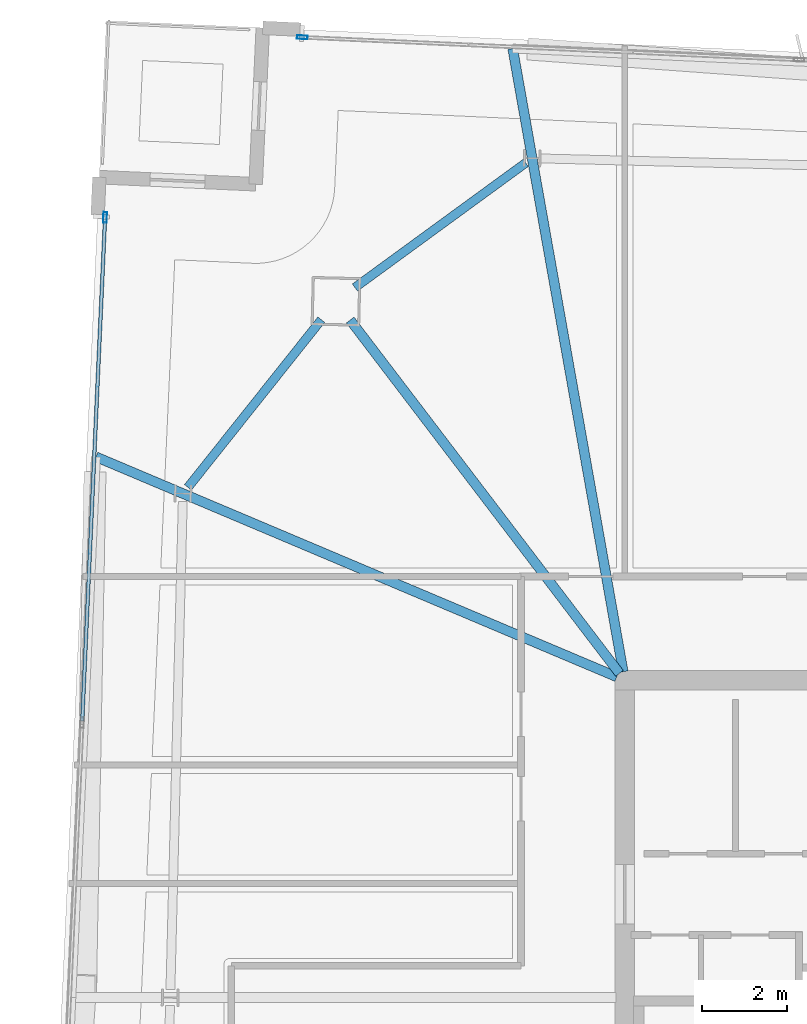
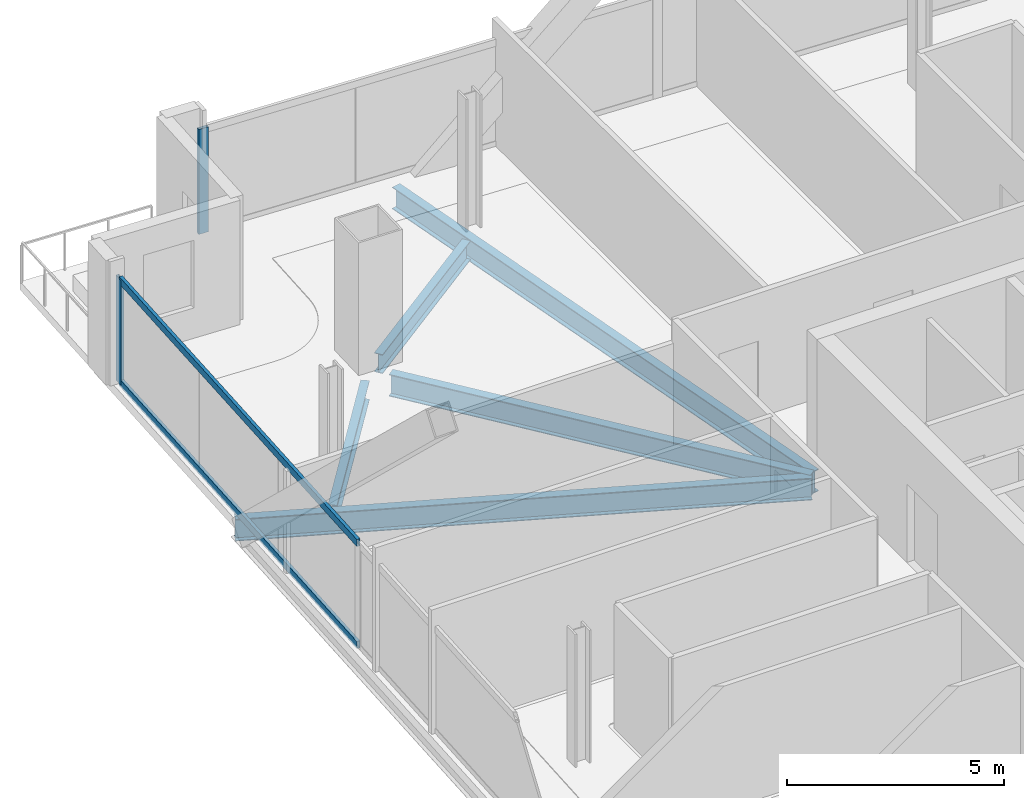
# One storey, part 14 of 26: 5 beams, 4 members, 2 elements without a shape of their own.
"""IFC4 building model written with IfcOpenShell, lengths in metres."""

import ifcopenshell
import ifcopenshell.guid

model = None  # the IFC model being written
_history = None  # IfcOwnerHistory: only IFC2X3 demands one
_inside = {}  # id of a spatial element -> (the spatial element, [elements in it])
_under = {}  # id of a project, library or spatial element -> (it, [spatial elements below it])
_declared = {}  # id of a project -> (the project, [libraries it declares])
_typed = {}  # id of a type object -> (the type object, [elements of that type])
_made_of = {}  # id of a material, layer set ... -> (it, [elements and type objects made of it])


def new_model(schema):
    """Start an empty IFC model of exactly this schema.

    Asked for "IFC4X3", IfcOpenShell would pick the latest addendum, in which some entities
    have other attributes; the version numbers below select the first issue.
    IFC2X3 requires an IfcOwnerHistory on every rooted entity: one is made here for all.
    """
    global model, _history
    if schema == "IFC4X3":
        model = ifcopenshell.file(schema_version=(4, 3, 0, 0))
    else:
        model = ifcopenshell.file(schema=schema)
    _inside.clear()
    _under.clear()
    _declared.clear()
    _typed.clear()
    _made_of.clear()
    _history = None
    if model.schema == "IFC2X3":
        org = make("IfcOrganization", Name="unknown")
        user = make(
            "IfcPersonAndOrganization",
            ThePerson=make("IfcPerson", FamilyName="unknown"),
            TheOrganization=org,
        )
        app = make(
            "IfcApplication",
            ApplicationDeveloper=org,
            Version="unknown",
            ApplicationFullName="unknown",
            ApplicationIdentifier="unknown",
        )
        _history = make(
            "IfcOwnerHistory",
            OwningUser=user,
            OwningApplication=app,
            ChangeAction="ADDED",
            CreationDate=0,
        )
    return model


def make(cls, **values):
    """One entity of the class cls with the attributes given. An attribute that is None is left unset."""
    return model.create_entity(
        cls, **{name: value for name, value in values.items() if value is not None}
    )


def rooted(cls, **values):
    """An entity with a GlobalId (a new one), such as an element, a storey or a relation."""
    return make(cls, GlobalId=ifcopenshell.guid.new(), OwnerHistory=_history, **values)


def si_unit(unit_type, name, prefix=None):
    """IfcSIUnit, for example si_unit("LENGTHUNIT", "METRE", prefix="MILLI")."""
    return make("IfcSIUnit", UnitType=unit_type, Prefix=prefix, Name=name)


def assignment(units):
    """IfcUnitAssignment: the units of a project."""
    return None if units is None else make("IfcUnitAssignment", Units=units)


def point(xyz):
    """IfcCartesianPoint."""
    return None if xyz is None else make("IfcCartesianPoint", Coordinates=xyz)


def direction(xyz):
    """IfcDirection."""
    return None if xyz is None else make("IfcDirection", DirectionRatios=xyz)


def frame(location, z_axis=None, x_axis=None):
    """IfcAxis2Placement3D, a coordinate frame: its origin and axes. An axis left out is left unset."""
    return make(
        "IfcAxis2Placement3D",
        Location=point(location),
        Axis=direction(z_axis),
        RefDirection=direction(x_axis),
    )


def frame_2d(location, x_axis=None):
    """IfcAxis2Placement2D, a coordinate frame in the plane: its origin and x axis."""
    return make(
        "IfcAxis2Placement2D", Location=point(location), RefDirection=direction(x_axis)
    )


def origin():
    """The frame at (0, 0, 0) with its axes left unset."""
    return frame((0.0, 0.0, 0.0))


def origin_2d():
    """The frame at (0, 0) in the plane with its x axis left unset."""
    return frame_2d((0.0, 0.0))


def place(relative_to, where):
    """IfcLocalPlacement: puts the frame where relative to a parent placement (None: the world)."""
    return make(
        "IfcLocalPlacement", PlacementRelTo=relative_to, RelativePlacement=where
    )


def context(
    kind, dimensions, precision=None, world=None, true_north=None, identifier=None
):
    """IfcGeometricRepresentationContext, for example the 3D "Model" context."""
    return make(
        "IfcGeometricRepresentationContext",
        ContextIdentifier=identifier,
        ContextType=kind,
        CoordinateSpaceDimension=dimensions,
        Precision=precision,
        WorldCoordinateSystem=world,
        TrueNorth=true_north,
    )


def subcontext(parent, identifier, kind, view, scale=None):
    """IfcGeometricRepresentationSubContext, for example "Body" below "Model"."""
    return make(
        "IfcGeometricRepresentationSubContext",
        ContextIdentifier=identifier,
        ContextType=kind,
        ParentContext=parent,
        TargetScale=scale,
        TargetView=view,
    )


def project(units=None, contexts=None):
    """IfcProject with its units and contexts."""
    return rooted(
        "IfcProject",
        Name="project",
        RepresentationContexts=contexts,
        UnitsInContext=assignment(units),
    )


def spatial(cls, under=None, at=None, **own):
    """A site, building, storey or space (cls), placed at a placement, below another one or the project."""
    s = rooted(cls, ObjectPlacement=at, **own)
    if under is not None:
        _under.setdefault(under.id(), (under, []))[1].append(s)
    return s


def profile(cls, at=None, kind="AREA", **sizes):
    """A parametric profile (cls). Its sizes go by their IFC names, for example OverallWidth=200.0."""
    return make(cls, ProfileType=kind, Position=at, **sizes)


def hollow_rectangle(**sizes):
    """IfcRectangleHollowProfileDef."""
    return profile("IfcRectangleHollowProfileDef", **sizes)


def i_section(**sizes):
    """IfcIShapeProfileDef."""
    return profile("IfcIShapeProfileDef", **sizes)


def extrude(swept, where, along, depth):
    """IfcExtrudedAreaSolid: the profile swept, set in the frame where, extruded along a direction by depth."""
    return make(
        "IfcExtrudedAreaSolid",
        SweptArea=swept,
        Position=where,
        ExtrudedDirection=direction(along),
        Depth=depth,
    )


def shape(context_of_items, identifier, shape_type, items):
    """IfcShapeRepresentation: the items that make up one representation, for example the "Body"."""
    return make(
        "IfcShapeRepresentation",
        ContextOfItems=context_of_items,
        RepresentationIdentifier=identifier,
        RepresentationType=shape_type,
        Items=items,
    )


def material(Name=None, Category=None):
    """IfcMaterial."""
    return make("IfcMaterial", Name=Name, Category=Category)


def material_profile(
    of_material, cross_section, Name=None, Category=None, Priority=None
):
    """IfcMaterialProfile: a cross section and its material."""
    return make(
        "IfcMaterialProfile",
        Name=Name,
        Material=of_material,
        Profile=cross_section,
        Priority=Priority,
        Category=Category,
    )


def profile_set(profiles, Name=None, composite=None):
    """IfcMaterialProfileSet."""
    return make(
        "IfcMaterialProfileSet",
        Name=Name,
        MaterialProfiles=profiles,
        CompositeProfile=composite,
    )


def made_of(thing, what):
    """Note that an element or type object is made of a material, layer set ...; save() writes the relation."""
    if what is not None:
        _made_of.setdefault(what.id(), (what, []))[1].append(thing)
    return thing


def type_object(cls, material=None, **own):
    """A type object (cls), such as IfcWallType, which elements share."""
    return made_of(rooted(cls, **own), material)


def element(
    cls,
    number,
    at=None,
    inside=None,
    cuts=None,
    type_object=None,
    material=None,
    context=None,
    identifier="Body",
    shape_type=None,
    held_by="IfcProductDefinitionShape",
    body=None,
    shapes=None,
    **own,
):
    """One element of the class cls, such as IfcWall. Its Tag is "e" and its number.

    at: its placement. inside: the storey or other place that contains it. cuts: it is an
    opening in that element (IfcRelVoidsElement). A single representation is given by context,
    identifier, shape_type and body (its items); several are given by shapes. held_by: the class
    of the entity that holds the representations. save() writes the other relations.
    """
    e = rooted(cls, Tag="e%d" % number, ObjectPlacement=at, **own)
    if body is not None:
        shapes = [shape(context, identifier, shape_type, body)]
    if shapes is not None:
        e.Representation = make(held_by, Representations=shapes)
    if inside is not None:
        _inside.setdefault(inside.id(), (inside, []))[1].append(e)
    if cuts is not None:
        rooted(
            "IfcRelVoidsElement", RelatingBuildingElement=cuts, RelatedOpeningElement=e
        )
    if type_object is not None:
        _typed.setdefault(type_object.id(), (type_object, []))[1].append(e)
    return made_of(e, material)


def aggregate(whole, parts):
    """IfcRelAggregates: a whole, such as a stair, and the parts it consists of."""
    return rooted("IfcRelAggregates", RelatingObject=whole, RelatedObjects=parts)


def save(model, path):
    """Write the relations noted so far, then the file.

    IfcRelAggregates (storeys below a building ...), IfcRelContainedInSpatialStructure (elements
    in a storey), IfcRelDefinesByType, IfcRelAssociatesMaterial and IfcRelDeclares: one each for
    every whole, place, type object, material and project.
    """
    for whole, parts in _under.values():
        aggregate(whole, parts)
    for where, things in _inside.values():
        rooted(
            "IfcRelContainedInSpatialStructure",
            RelatedElements=things,
            RelatingStructure=where,
        )
    for kind, things in _typed.values():
        rooted("IfcRelDefinesByType", RelatedObjects=things, RelatingType=kind)
    for what, things in _made_of.values():
        rooted("IfcRelAssociatesMaterial", RelatedObjects=things, RelatingMaterial=what)
    for by, libraries in _declared.values():
        rooted("IfcRelDeclares", RelatingContext=by, RelatedDefinitions=libraries)
    model.write(path)


model = new_model("IFC4")

# Units and contexts
model_context = context("Model", 3, precision=1e-05, world=origin(), true_north=direction((0.0, 1.0)))
body_context = subcontext(model_context, "Body", "Model", "MODEL_VIEW")
ifc_project = project(units=[si_unit("LENGTHUNIT", "METRE"), si_unit("AREAUNIT", "SQUARE_METRE"), si_unit("VOLUMEUNIT", "CUBIC_METRE"), si_unit("PLANEANGLEUNIT", "RADIAN"), si_unit("MASSUNIT", "GRAM", prefix="KILO")], contexts=[model_context])

# Site, building, storey
site_placement = place(None, origin())
site = spatial("IfcSite", under=ifc_project, at=site_placement, CompositionType="ELEMENT")
building_placement = place(site_placement, origin())
building = spatial("IfcBuilding", under=site, at=building_placement, Name="Haldenkirk Collegiate Tower", CompositionType="ELEMENT")
storey_placement = place(building_placement, frame((0.0, 0.0, 321.449951171875)))
storey = spatial("IfcBuildingStorey", under=building, at=storey_placement, Name="L81", CompositionType="ELEMENT", Elevation=321.449951171875)

# Beams
ifc_material_1 = material(Name="Steel ASTM A992 Grade 50", Category="steel")
ifc_material_profile_1 = material_profile(ifc_material_1, i_section(OverallWidth=0.22998046875, OverallDepth=0.616943359375, WebThickness=0.01318359375, FlangeThickness=0.022216796875, at=origin_2d()), Name="W24X94")
ifc_profile_set_1 = profile_set([ifc_material_profile_1], Name="Steel ASTM A992 Grade 50")
beam_type_1 = type_object("IfcBeamType", Name="BM-GIRDER-W24X94", PredefinedType="BEAM", material=ifc_profile_set_1)
beam_1_placement = place(storey_placement, frame((20.510498046875, 42.514404296875, -0.568359375), z_axis=(0.606183308444, -0.79532496287, 0.0), x_axis=(0.79532496287, 0.606183308444, 0.0)))
element("IfcBeam", 1, at=beam_1_placement, inside=storey, type_object=beam_type_1, Name="L81 primary floor girder 03", PredefinedType="BEAM", context=body_context, shape_type="SweptSolid", body=[
    extrude(i_section(OverallWidth=0.22998046875, OverallDepth=0.616943359375, WebThickness=0.01318359375, FlangeThickness=0.022216796875, at=origin_2d()), origin(), (0.0, 0.0, 1.0), 10.50048828125),
])
beam_2_placement = place(storey_placement, frame((24.351318359375, 48.931884765625, -0.568359375), z_axis=(0.174652946358, -0.984630056584, 0.0), x_axis=(0.984630056584, 0.174652946358, 0.0)))
element("IfcBeam", 2, at=beam_2_placement, inside=storey, type_object=beam_type_1, Name="L81 primary floor girder 10", PredefinedType="BEAM", context=body_context, shape_type="SweptSolid", body=[
    extrude(i_section(OverallWidth=0.22998046875, OverallDepth=0.616943359375, WebThickness=0.01318359375, FlangeThickness=0.022216796875, at=origin_2d()), origin(), (0.0, 0.0, 1.0), 14.9599609375),
])
beam_3_placement = place(storey_placement, frame((14.500244140625, 39.28125, -0.568359375), z_axis=(0.921157746471, -0.389189421897, 0.0), x_axis=(0.389189421897, 0.921157746471, 0.0)))
element("IfcBeam", 3, at=beam_3_placement, inside=storey, type_object=beam_type_1, Name="L81 primary floor girder 11", PredefinedType="BEAM", context=body_context, shape_type="SweptSolid", body=[
    extrude(i_section(OverallWidth=0.22998046875, OverallDepth=0.616943359375, WebThickness=0.01318359375, FlangeThickness=0.022216796875, at=origin_2d()), origin(), (0.0, 0.0, 1.0), 13.36474609375),
])
ifc_material_profile_2 = material_profile(ifc_material_1, i_section(OverallWidth=0.2099609375, OverallDepth=0.537109375, WebThickness=0.010986328125, FlangeThickness=0.017333984375, at=origin_2d()), Name="W21X68")
ifc_profile_set_2 = profile_set([ifc_material_profile_2], Name="Steel ASTM A992 Grade 50")
beam_type_2 = type_object("IfcBeamType", Name="BM-SPANDREL-W21X68", PredefinedType="SPANDREL", material=ifc_profile_set_2)
beam_4_placement = place(storey_placement, frame((24.6591796875, 46.228759765625, -0.528564453125), z_axis=(-0.807792834001, -0.589466485338, 0.0), x_axis=(0.589466485338, -0.807792834001, 0.0)))
element("IfcBeam", 4, at=beam_4_placement, inside=storey, type_object=beam_type_2, Name="L81 perimeter spandrel beam 08", PredefinedType="SPANDREL", context=body_context, shape_type="SweptSolid", body=[
    extrude(i_section(OverallWidth=0.2099609375, OverallDepth=0.537109375, WebThickness=0.010986328125, FlangeThickness=0.017333984375, at=origin_2d()), origin(), (0.0, 0.0, 1.0), 4.997314453125),
])
beam_5_placement = place(storey_placement, frame((19.828369140625, 42.521484375, -0.528564453125), z_axis=(-0.622694005585, -0.782465446783, 0.0), x_axis=(0.782465446783, -0.622694005585, 0.0)))
element("IfcBeam", 5, at=beam_5_placement, inside=storey, type_object=beam_type_2, Name="L81 perimeter spandrel beam 09", PredefinedType="SPANDREL", context=body_context, shape_type="SweptSolid", body=[
    extrude(i_section(OverallWidth=0.2099609375, OverallDepth=0.537109375, WebThickness=0.010986328125, FlangeThickness=0.017333984375, at=origin_2d()), origin(), (0.0, 0.0, 1.0), 5.06396484375),
])

# Curtain wall, member
ifc_material_2 = material(Name="Anodised architectural bronze aluminium", Category="aluminium")
curtain_wall_type = type_object("IfcCurtainWallType", Name="CW-SYS1B-CONVEX-HI", PredefinedType="USERDEFINED", material=ifc_material_2)
curtain_wall_1_placement = place(storey_placement, origin())
curtain_wall_1 = element("IfcCurtainWall", 6, at=curtain_wall_1_placement, inside=storey, type_object=curtain_wall_type, Name="L81 Upper tower high-wind convex bronze unitised curtain wall", ObjectType="UNITISED CURTAIN WALL", PredefinedType="USERDEFINED")
ifc_material_profile_3 = material_profile(ifc_material_2, hollow_rectangle(XDim=0.0849609375, YDim=0.25, WallThickness=0.0048828125, at=origin_2d()), Name="CW-MUL-1B")
ifc_profile_set_3 = profile_set([ifc_material_profile_3], Name="Anodised architectural bronze aluminium")
member_type_1 = type_object("IfcMemberType", Name="CW-MUL-1B", PredefinedType="MULLION", material=ifc_profile_set_3)
member_1_placement = place(storey_placement, frame((19.377685546875, 49.197998046875, 0.0), z_axis=(0.0, 0.0, 1.0), x_axis=(0.045364478326, 0.99897050212, 0.0)))
member_1 = element("IfcMember", 7, at=member_1_placement, type_object=member_type_1, Name="CW-1B mullion 1", PredefinedType="MULLION", context=body_context, shape_type="SweptSolid", body=[
    extrude(hollow_rectangle(XDim=0.0849609375, YDim=0.25, WallThickness=0.0048828125, at=origin_2d()), origin(), (0.0, 0.0, 1.0), 2.947998046875),
])
aggregate(curtain_wall_1, [member_1])

# Curtain wall, members
curtain_wall_2_placement = place(storey_placement, origin())
curtain_wall_2 = element("IfcCurtainWall", 8, at=curtain_wall_2_placement, inside=storey, type_object=curtain_wall_type, Name="L81 Upper tower high-wind convex bronze unitised curtain wall", ObjectType="UNITISED CURTAIN WALL", PredefinedType="USERDEFINED")
member_2_placement = place(storey_placement, frame((14.71728515625, 44.9423828125, 0.0), z_axis=(0.0, 0.0, 1.0), x_axis=(-0.998970520939, 0.045364063906, 0.0)))
member_2 = element("IfcMember", 9, at=member_2_placement, type_object=member_type_1, Name="CW-1B mullion 4", PredefinedType="MULLION", context=body_context, shape_type="SweptSolid", body=[
    extrude(hollow_rectangle(XDim=0.0849609375, YDim=0.25, WallThickness=0.0048828125, at=origin_2d()), origin(), (0.0, 0.0, 1.0), 2.947998046875),
])
ifc_material_profile_4 = material_profile(ifc_material_2, hollow_rectangle(XDim=0.0849609375, YDim=0.199951171875, WallThickness=0.0048828125, at=origin_2d()), Name="CW-TRN-1B")
ifc_profile_set_4 = profile_set([ifc_material_profile_4], Name="Anodised architectural bronze aluminium")
member_type_2 = type_object("IfcMemberType", Name="CW-TRN-1B", PredefinedType="USERDEFINED", material=ifc_profile_set_4)
member_3_placement = place(storey_placement, frame((14.1767578125, 33.03955078125, 0.04248046875), z_axis=(0.045362887752, 0.998970574349, 0.0), x_axis=(-0.998970574349, 0.045362887752, 0.0)))
member_3 = element("IfcMember", 10, at=member_3_placement, type_object=member_type_2, Name="CW-1B transom 3.1", ObjectType="TRANSOM", PredefinedType="USERDEFINED", context=body_context, shape_type="SweptSolid", body=[
    extrude(hollow_rectangle(XDim=0.0849609375, YDim=0.199951171875, WallThickness=0.0048828125, at=origin_2d()), origin(), (0.0, 0.0, 1.0), 11.87255859375),
])
member_4_placement = place(storey_placement, frame((14.1767578125, 33.03955078125, 2.905517578125), z_axis=(0.045362887752, 0.998970574349, 0.0), x_axis=(-0.998970574349, 0.045362887752, 0.0)))
member_4 = element("IfcMember", 11, at=member_4_placement, type_object=member_type_2, Name="CW-1B transom 3.2", ObjectType="TRANSOM", PredefinedType="USERDEFINED", context=body_context, shape_type="SweptSolid", body=[
    extrude(hollow_rectangle(XDim=0.0849609375, YDim=0.199951171875, WallThickness=0.0048828125, at=origin_2d()), origin(), (0.0, 0.0, 1.0), 11.87255859375),
])
aggregate(curtain_wall_2, [member_2, member_3, member_4])

save(model, "model.ifc")
